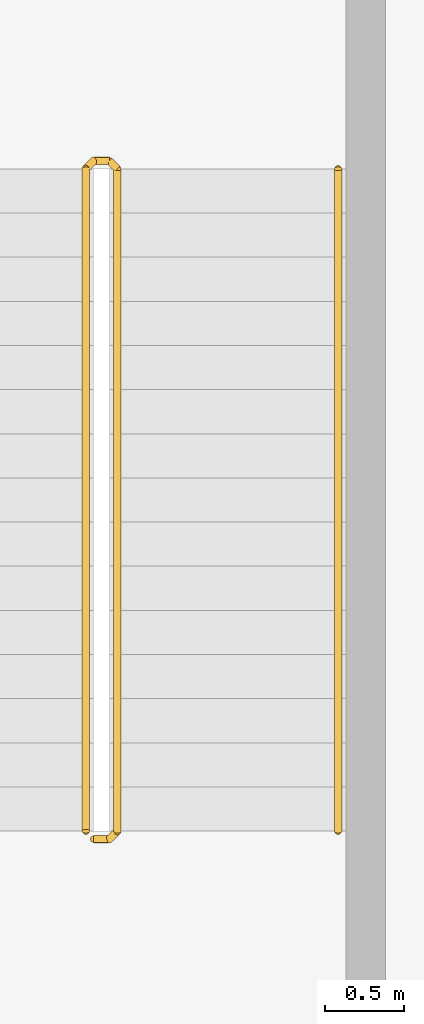
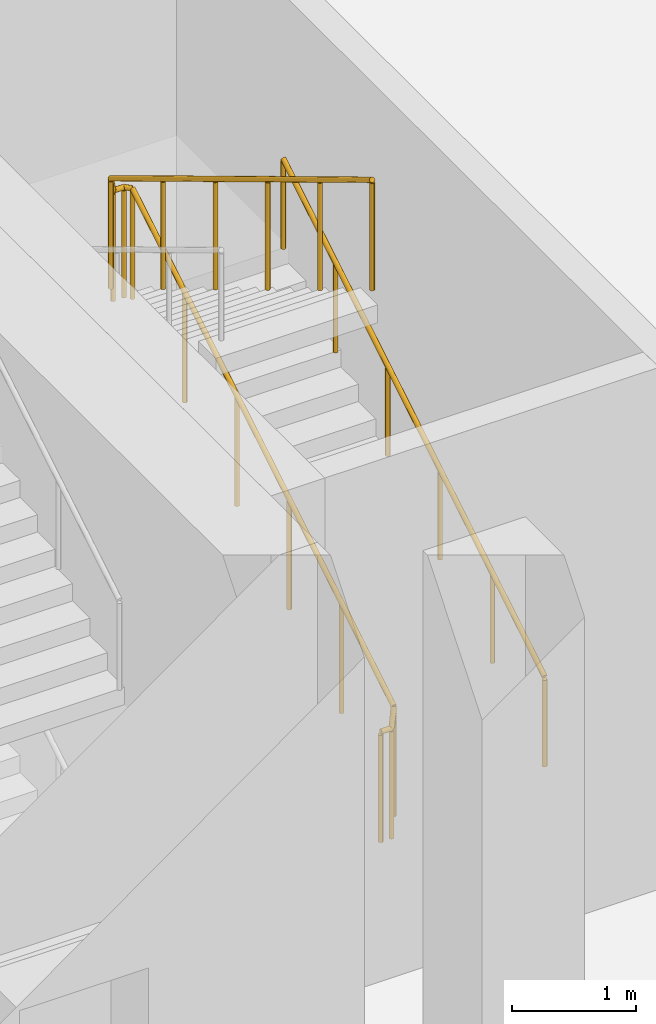
# One storey, part 17 of 18: 2 railings.
"""IFC4 building model written with IfcOpenShell, lengths in metres."""

from ifc_helpers import new_model, si_unit, direction, frame, origin, origin_2d, place, context, subcontext, project, spatial, circle, extrude, material, type_object, element, save


model = new_model("IFC4")

# Units and contexts
model_context = context("Model", 3, precision=1e-05, world=origin(), true_north=direction((0.0, 1.0)))
body_context = subcontext(model_context, "Body", "Model", "MODEL_VIEW")
ifc_project = project(units=[si_unit("LENGTHUNIT", "METRE"), si_unit("AREAUNIT", "SQUARE_METRE"), si_unit("VOLUMEUNIT", "CUBIC_METRE"), si_unit("PLANEANGLEUNIT", "RADIAN"), si_unit("MASSUNIT", "GRAM", prefix="KILO")], contexts=[model_context])

# Site, building, storey
site_placement = place(None, origin())
site = spatial("IfcSite", under=ifc_project, at=site_placement, CompositionType="ELEMENT")
building_placement = place(site_placement, origin())
building = spatial("IfcBuilding", under=site, at=building_placement, Name="Kilnfold Tower and Market Hall", CompositionType="ELEMENT")
storey_placement = place(building_placement, frame((0.0, 0.0, 233.60009765625)))
storey = spatial("IfcBuildingStorey", under=building, at=storey_placement, Name="L56", CompositionType="ELEMENT", Elevation=233.60009765625)

# Railings
ifc_material_1 = material(Name="Stainless steel 316", Category="steel")
railing_type_1 = type_object("IfcRailingType", Name="CORE STAIR GUARD 1100", PredefinedType="GUARDRAIL", material=ifc_material_1)
railing_1_placement = place(storey_placement, frame((19.85009765625, 11.449951171875, 0.0)))
element("IfcRailing", 1, at=railing_1_placement, inside=storey, type_object=railing_type_1, Name="L56 ST5 stair guard 1", PredefinedType="GUARDRAIL", context=body_context, shape_type="SweptSolid", body=[
    extrude(circle(Radius=0.02392578125, at=origin_2d()), frame((0.0, 0.0, 1.076171875), z_axis=(1.0, 0.0, 0.0), x_axis=(0.0, 1.0, 0.0)), (0.0, 0.0, 1.0), 0.099853515625),
    extrude(circle(Radius=0.02392578125, at=origin_2d()), frame((0.099853515625, 0.0, 1.076171875), z_axis=(0.273569069059, 0.273569069059, 0.922127935218), x_axis=(-0.707106781187, 0.707106781187, 0.0)), (0.0, 0.0, 1.0), 0.182861328125),
    extrude(circle(Radius=0.02392578125, at=origin_2d()), frame((0.14990234375, 0.050048828125, 1.24462890625), z_axis=(0.0, 0.856476492594, 0.516186030065), x_axis=(-1.0, 0.0, 0.0)), (0.0, 0.0, 1.0), 4.90380859375),
    extrude(circle(Radius=0.02392578125, at=origin_2d()), frame((0.14990234375, 4.25, 3.77587890625), z_axis=(-0.707106781187, 0.707106781187, 0.0), x_axis=(-0.707106781187, -0.707106781187, 0.0)), (0.0, 0.0, 1.0), 0.07080078125),
    extrude(circle(Radius=0.02392578125, at=origin_2d()), frame((0.099853515625, 4.300048828125, 3.77587890625), z_axis=(-1.0, 0.0, 0.0), x_axis=(0.0, -1.0, 0.0)), (0.0, 0.0, 1.0), 0.099853515625),
    extrude(circle(Radius=0.02392578125, at=origin_2d()), frame((0.0, 4.300048828125, 3.77587890625), z_axis=(-0.273569069059, -0.273569069059, 0.922127935218), x_axis=(0.707106781187, -0.707106781187, 0.0)), (0.0, 0.0, 1.0), 0.182861328125),
    extrude(circle(Radius=0.02392578125, at=origin_2d()), frame((-0.050048828125, 4.25, 3.94482421875), z_axis=(0.0, -0.856476492594, 0.516186030065), x_axis=(1.0, 0.0, 0.0)), (0.0, 0.0, 1.0), 4.90380859375),
    extrude(circle(Radius=0.02099609375, at=origin_2d()), origin(), (0.0, 0.0, 1.0), 1.052001953125),
    extrude(circle(Radius=0.02099609375, at=origin_2d()), frame((0.099853515625, 0.0, 0.0)), (0.0, 0.0, 1.0), 1.052001953125),
    extrude(circle(Radius=0.02099609375, at=origin_2d()), frame((0.14990234375, 0.050048828125, 0.168701171875)), (0.0, 0.0, 1.0), 1.052001953125),
    extrude(circle(Radius=0.02099609375, at=origin_2d()), frame((0.14990234375, 0.89013671875, 0.675048828125)), (0.0, 0.0, 1.0), 1.052001953125),
    extrude(circle(Radius=0.02099609375, at=origin_2d()), frame((0.14990234375, 1.72998046875, 1.18115234375)), (0.0, 0.0, 1.0), 1.052001953125),
    extrude(circle(Radius=0.02099609375, at=origin_2d()), frame((0.14990234375, 2.570068359375, 1.6875)), (0.0, 0.0, 1.0), 1.052001953125),
    extrude(circle(Radius=0.02099609375, at=origin_2d()), frame((0.14990234375, 3.409912109375, 2.193603515625)), (0.0, 0.0, 1.0), 1.052001953125),
    extrude(circle(Radius=0.02099609375, at=origin_2d()), frame((0.14990234375, 4.25, 2.699951171875)), (0.0, 0.0, 1.0), 1.052001953125),
    extrude(circle(Radius=0.02099609375, at=origin_2d()), frame((0.099853515625, 4.300048828125, 2.699951171875)), (0.0, 0.0, 1.0), 1.052001953125),
    extrude(circle(Radius=0.02099609375, at=origin_2d()), frame((0.0, 4.300048828125, 2.699951171875)), (0.0, 0.0, 1.0), 1.052001953125),
    extrude(circle(Radius=0.02099609375, at=origin_2d()), frame((-0.050048828125, 4.25, 2.86865234375)), (0.0, 0.0, 1.0), 1.052001953125),
    extrude(circle(Radius=0.02099609375, at=origin_2d()), frame((-0.050048828125, 3.409912109375, 3.375)), (0.0, 0.0, 1.0), 1.052001953125),
    extrude(circle(Radius=0.02099609375, at=origin_2d()), frame((-0.050048828125, 2.570068359375, 3.881103515625)), (0.0, 0.0, 1.0), 1.052001953125),
    extrude(circle(Radius=0.02099609375, at=origin_2d()), frame((-0.050048828125, 1.72998046875, 4.387451171875)), (0.0, 0.0, 1.0), 1.052001953125),
    extrude(circle(Radius=0.02099609375, at=origin_2d()), frame((-0.050048828125, 0.89013671875, 4.8935546875)), (0.0, 0.0, 1.0), 1.052001953125),
    extrude(circle(Radius=0.02099609375, at=origin_2d()), frame((-0.050048828125, 0.050048828125, 5.39990234375)), (0.0, 0.0, 1.0), 1.052001953125),
])
ifc_material_2 = material(Name="Stainless steel 316", Category="steel")
railing_type_2 = type_object("IfcRailingType", Name="CORE STAIR HANDRAIL 900", PredefinedType="HANDRAIL", material=ifc_material_2)
railing_2_placement = place(storey_placement, frame((21.39990234375, 11.5, 0.168701171875)))
element("IfcRailing", 2, at=railing_2_placement, inside=storey, type_object=railing_type_2, Name="L56 ST5 stair handrail 1", PredefinedType="HANDRAIL", context=body_context, shape_type="SweptSolid", body=[
    extrude(circle(Radius=0.02392578125, at=origin_2d()), frame((0.0, 0.0, 0.8759765625), z_axis=(0.0, 0.856476492594, 0.516186030065), x_axis=(-1.0, 0.0, 0.0)), (0.0, 0.0, 1.0), 4.90380859375),
    extrude(circle(Radius=0.02099609375, at=origin_2d()), origin(), (0.0, 0.0, 1.0), 0.851806640625),
    extrude(circle(Radius=0.02099609375, at=origin_2d()), frame((0.0, 0.840087890625, 0.50634765625)), (0.0, 0.0, 1.0), 0.851806640625),
    extrude(circle(Radius=0.02099609375, at=origin_2d()), frame((0.0, 1.679931640625, 1.012451171875)), (0.0, 0.0, 1.0), 0.851806640625),
    extrude(circle(Radius=0.02099609375, at=origin_2d()), frame((0.0, 2.52001953125, 1.518798828125)), (0.0, 0.0, 1.0), 0.851806640625),
    extrude(circle(Radius=0.02099609375, at=origin_2d()), frame((0.0, 3.35986328125, 2.02490234375)), (0.0, 0.0, 1.0), 0.851806640625),
    extrude(circle(Radius=0.02099609375, at=origin_2d()), frame((0.0, 4.199951171875, 2.53125)), (0.0, 0.0, 1.0), 0.851806640625),
])

save(model, "model.ifc")
